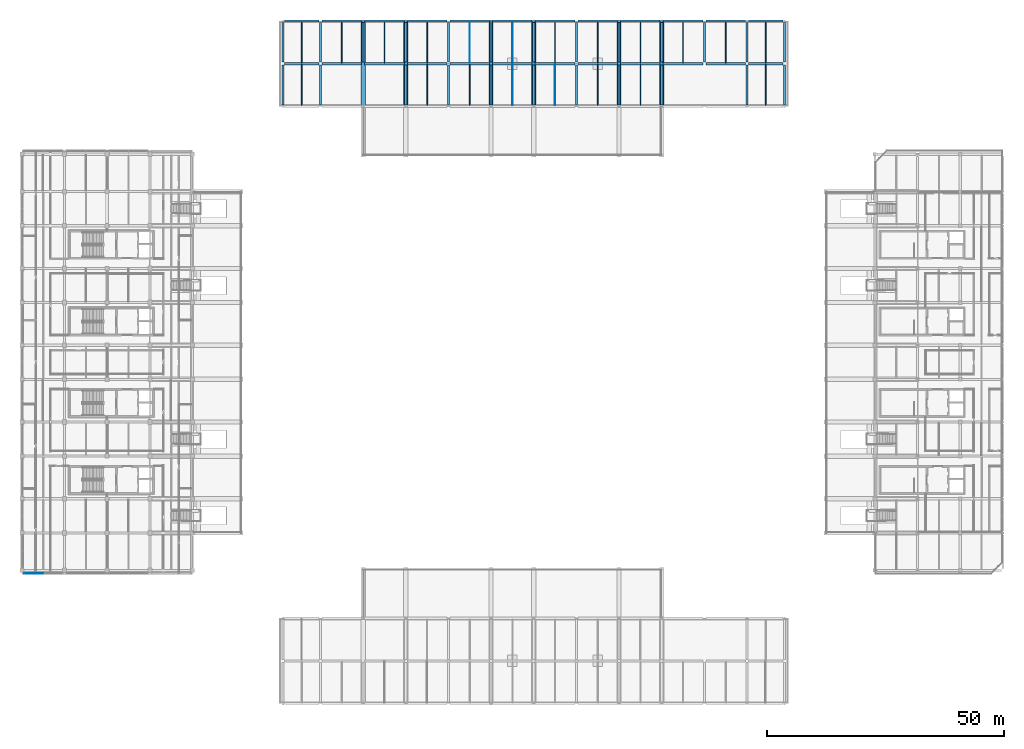
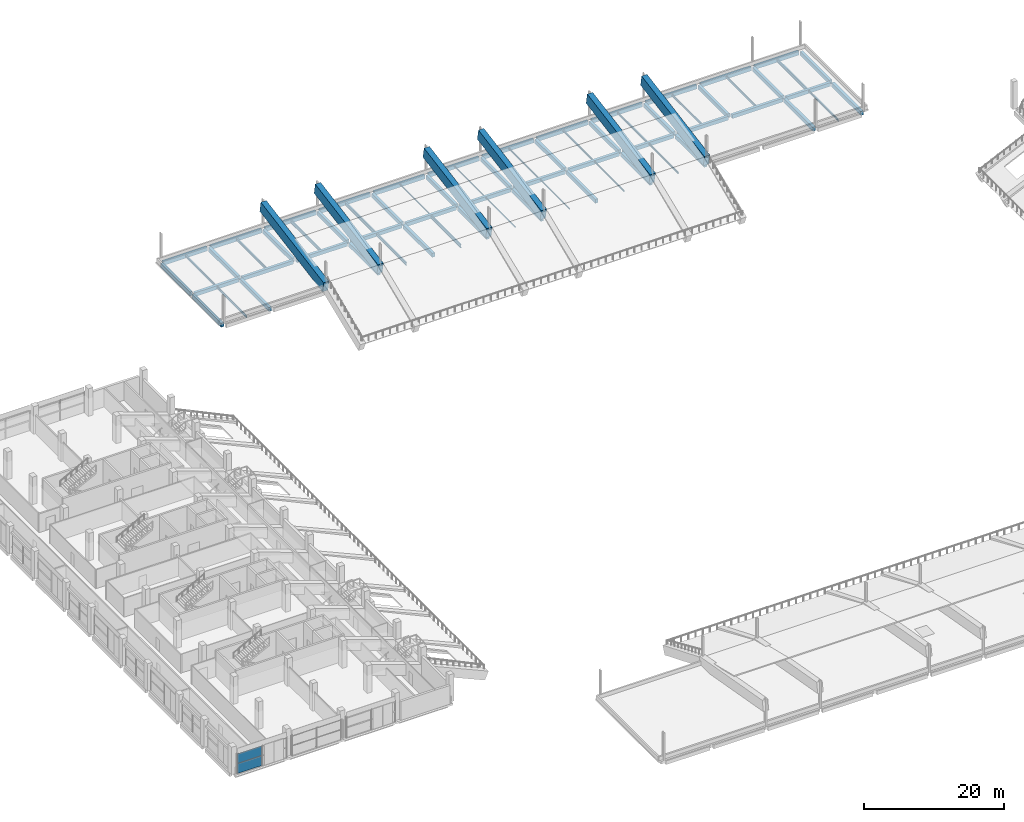
# One storey, part 39 of 66: 74 beams, 2 plates, 1 element without a shape of its own.
"""IFC4 building model written with IfcOpenShell, lengths in metres."""

import ifcopenshell
import ifcopenshell.guid

model = None  # the IFC model being written
_history = None  # IfcOwnerHistory: only IFC2X3 demands one
_inside = {}  # id of a spatial element -> (the spatial element, [elements in it])
_under = {}  # id of a project, library or spatial element -> (it, [spatial elements below it])
_declared = {}  # id of a project -> (the project, [libraries it declares])
_typed = {}  # id of a type object -> (the type object, [elements of that type])
_made_of = {}  # id of a material, layer set ... -> (it, [elements and type objects made of it])


def new_model(schema):
    """Start an empty IFC model of exactly this schema.

    Asked for "IFC4X3", IfcOpenShell would pick the latest addendum, in which some entities
    have other attributes; the version numbers below select the first issue.
    IFC2X3 requires an IfcOwnerHistory on every rooted entity: one is made here for all.
    """
    global model, _history
    if schema == "IFC4X3":
        model = ifcopenshell.file(schema_version=(4, 3, 0, 0))
    else:
        model = ifcopenshell.file(schema=schema)
    _inside.clear()
    _under.clear()
    _declared.clear()
    _typed.clear()
    _made_of.clear()
    _history = None
    if model.schema == "IFC2X3":
        org = make("IfcOrganization", Name="unknown")
        user = make(
            "IfcPersonAndOrganization",
            ThePerson=make("IfcPerson", FamilyName="unknown"),
            TheOrganization=org,
        )
        app = make(
            "IfcApplication",
            ApplicationDeveloper=org,
            Version="unknown",
            ApplicationFullName="unknown",
            ApplicationIdentifier="unknown",
        )
        _history = make(
            "IfcOwnerHistory",
            OwningUser=user,
            OwningApplication=app,
            ChangeAction="ADDED",
            CreationDate=0,
        )
    return model


def make(cls, **values):
    """One entity of the class cls with the attributes given. An attribute that is None is left unset."""
    return model.create_entity(
        cls, **{name: value for name, value in values.items() if value is not None}
    )


def rooted(cls, **values):
    """An entity with a GlobalId (a new one), such as an element, a storey or a relation."""
    return make(cls, GlobalId=ifcopenshell.guid.new(), OwnerHistory=_history, **values)


def si_unit(unit_type, name, prefix=None):
    """IfcSIUnit, for example si_unit("LENGTHUNIT", "METRE", prefix="MILLI")."""
    return make("IfcSIUnit", UnitType=unit_type, Prefix=prefix, Name=name)


def assignment(units):
    """IfcUnitAssignment: the units of a project."""
    return None if units is None else make("IfcUnitAssignment", Units=units)


def point(xyz):
    """IfcCartesianPoint."""
    return None if xyz is None else make("IfcCartesianPoint", Coordinates=xyz)


def direction(xyz):
    """IfcDirection."""
    return None if xyz is None else make("IfcDirection", DirectionRatios=xyz)


def frame(location, z_axis=None, x_axis=None):
    """IfcAxis2Placement3D, a coordinate frame: its origin and axes. An axis left out is left unset."""
    return make(
        "IfcAxis2Placement3D",
        Location=point(location),
        Axis=direction(z_axis),
        RefDirection=direction(x_axis),
    )


def frame_2d(location, x_axis=None):
    """IfcAxis2Placement2D, a coordinate frame in the plane: its origin and x axis."""
    return make(
        "IfcAxis2Placement2D", Location=point(location), RefDirection=direction(x_axis)
    )


def origin():
    """The frame at (0, 0, 0) with its axes left unset."""
    return frame((0.0, 0.0, 0.0))


def origin_2d():
    """The frame at (0, 0) in the plane with its x axis left unset."""
    return frame_2d((0.0, 0.0))


def place(relative_to, where):
    """IfcLocalPlacement: puts the frame where relative to a parent placement (None: the world)."""
    return make(
        "IfcLocalPlacement", PlacementRelTo=relative_to, RelativePlacement=where
    )


def context(
    kind, dimensions, precision=None, world=None, true_north=None, identifier=None
):
    """IfcGeometricRepresentationContext, for example the 3D "Model" context."""
    return make(
        "IfcGeometricRepresentationContext",
        ContextIdentifier=identifier,
        ContextType=kind,
        CoordinateSpaceDimension=dimensions,
        Precision=precision,
        WorldCoordinateSystem=world,
        TrueNorth=true_north,
    )


def subcontext(parent, identifier, kind, view, scale=None):
    """IfcGeometricRepresentationSubContext, for example "Body" below "Model"."""
    return make(
        "IfcGeometricRepresentationSubContext",
        ContextIdentifier=identifier,
        ContextType=kind,
        ParentContext=parent,
        TargetScale=scale,
        TargetView=view,
    )


def project(units=None, contexts=None):
    """IfcProject with its units and contexts."""
    return rooted(
        "IfcProject",
        Name="project",
        RepresentationContexts=contexts,
        UnitsInContext=assignment(units),
    )


def spatial(cls, under=None, at=None, **own):
    """A site, building, storey or space (cls), placed at a placement, below another one or the project."""
    s = rooted(cls, ObjectPlacement=at, **own)
    if under is not None:
        _under.setdefault(under.id(), (under, []))[1].append(s)
    return s


def profile(cls, at=None, kind="AREA", **sizes):
    """A parametric profile (cls). Its sizes go by their IFC names, for example OverallWidth=200.0."""
    return make(cls, ProfileType=kind, Position=at, **sizes)


def rectangle(**sizes):
    """IfcRectangleProfileDef."""
    return profile("IfcRectangleProfileDef", **sizes)


def hollow_rectangle(**sizes):
    """IfcRectangleHollowProfileDef."""
    return profile("IfcRectangleHollowProfileDef", **sizes)


def i_section(**sizes):
    """IfcIShapeProfileDef."""
    return profile("IfcIShapeProfileDef", **sizes)


def extrude(swept, where, along, depth):
    """IfcExtrudedAreaSolid: the profile swept, set in the frame where, extruded along a direction by depth."""
    return make(
        "IfcExtrudedAreaSolid",
        SweptArea=swept,
        Position=where,
        ExtrudedDirection=direction(along),
        Depth=depth,
    )


def shape(context_of_items, identifier, shape_type, items):
    """IfcShapeRepresentation: the items that make up one representation, for example the "Body"."""
    return make(
        "IfcShapeRepresentation",
        ContextOfItems=context_of_items,
        RepresentationIdentifier=identifier,
        RepresentationType=shape_type,
        Items=items,
    )


def material(Name=None, Category=None):
    """IfcMaterial."""
    return make("IfcMaterial", Name=Name, Category=Category)


def layer(
    of_material, thickness, ventilated=None, Name=None, Category=None, Priority=None
):
    """IfcMaterialLayer: one layer of a wall or slab, of a material (None: an air gap)."""
    return make(
        "IfcMaterialLayer",
        Material=of_material,
        LayerThickness=thickness,
        IsVentilated=ventilated,
        Name=Name,
        Category=Category,
        Priority=Priority,
    )


def layer_set(layers, Name=None):
    """IfcMaterialLayerSet."""
    return make("IfcMaterialLayerSet", MaterialLayers=layers, LayerSetName=Name)


def material_profile(
    of_material, cross_section, Name=None, Category=None, Priority=None
):
    """IfcMaterialProfile: a cross section and its material."""
    return make(
        "IfcMaterialProfile",
        Name=Name,
        Material=of_material,
        Profile=cross_section,
        Priority=Priority,
        Category=Category,
    )


def profile_set(profiles, Name=None, composite=None):
    """IfcMaterialProfileSet."""
    return make(
        "IfcMaterialProfileSet",
        Name=Name,
        MaterialProfiles=profiles,
        CompositeProfile=composite,
    )


def made_of(thing, what):
    """Note that an element or type object is made of a material, layer set ...; save() writes the relation."""
    if what is not None:
        _made_of.setdefault(what.id(), (what, []))[1].append(thing)
    return thing


def type_object(cls, material=None, **own):
    """A type object (cls), such as IfcWallType, which elements share."""
    return made_of(rooted(cls, **own), material)


def element(
    cls,
    number,
    at=None,
    inside=None,
    cuts=None,
    type_object=None,
    material=None,
    context=None,
    identifier="Body",
    shape_type=None,
    held_by="IfcProductDefinitionShape",
    body=None,
    shapes=None,
    **own,
):
    """One element of the class cls, such as IfcWall. Its Tag is "e" and its number.

    at: its placement. inside: the storey or other place that contains it. cuts: it is an
    opening in that element (IfcRelVoidsElement). A single representation is given by context,
    identifier, shape_type and body (its items); several are given by shapes. held_by: the class
    of the entity that holds the representations. save() writes the other relations.
    """
    e = rooted(cls, Tag="e%d" % number, ObjectPlacement=at, **own)
    if body is not None:
        shapes = [shape(context, identifier, shape_type, body)]
    if shapes is not None:
        e.Representation = make(held_by, Representations=shapes)
    if inside is not None:
        _inside.setdefault(inside.id(), (inside, []))[1].append(e)
    if cuts is not None:
        rooted(
            "IfcRelVoidsElement", RelatingBuildingElement=cuts, RelatedOpeningElement=e
        )
    if type_object is not None:
        _typed.setdefault(type_object.id(), (type_object, []))[1].append(e)
    return made_of(e, material)


def aggregate(whole, parts):
    """IfcRelAggregates: a whole, such as a stair, and the parts it consists of."""
    return rooted("IfcRelAggregates", RelatingObject=whole, RelatedObjects=parts)


def save(model, path):
    """Write the relations noted so far, then the file.

    IfcRelAggregates (storeys below a building ...), IfcRelContainedInSpatialStructure (elements
    in a storey), IfcRelDefinesByType, IfcRelAssociatesMaterial and IfcRelDeclares: one each for
    every whole, place, type object, material and project.
    """
    for whole, parts in _under.values():
        aggregate(whole, parts)
    for where, things in _inside.values():
        rooted(
            "IfcRelContainedInSpatialStructure",
            RelatedElements=things,
            RelatingStructure=where,
        )
    for kind, things in _typed.values():
        rooted("IfcRelDefinesByType", RelatedObjects=things, RelatingType=kind)
    for what, things in _made_of.values():
        rooted("IfcRelAssociatesMaterial", RelatedObjects=things, RelatingMaterial=what)
    for by, libraries in _declared.values():
        rooted("IfcRelDeclares", RelatingContext=by, RelatedDefinitions=libraries)
    model.write(path)


model = new_model("IFC4")

# Units and contexts
model_context = context("Model", 3, precision=1e-05, world=origin(), true_north=direction((0.0, 1.0)))
body_context = subcontext(model_context, "Body", "Model", "MODEL_VIEW")
ifc_project = project(units=[si_unit("LENGTHUNIT", "METRE"), si_unit("AREAUNIT", "SQUARE_METRE"), si_unit("VOLUMEUNIT", "CUBIC_METRE"), si_unit("PLANEANGLEUNIT", "RADIAN"), si_unit("MASSUNIT", "GRAM", prefix="KILO"), si_unit("THERMODYNAMICTEMPERATUREUNIT", "KELVIN"), si_unit("POWERUNIT", "WATT")], contexts=[model_context])

# Site, building, storey
site_placement = place(None, origin())
site = spatial("IfcSite", under=ifc_project, at=site_placement, CompositionType="ELEMENT")
building_placement = place(site_placement, origin())
building = spatial("IfcBuilding", under=site, at=building_placement, Name="Sindhuravela Promenade Stadium", CompositionType="ELEMENT")
storey_placement = place(building_placement, frame((0.0, 0.0, 19.199951171875)))
storey = spatial("IfcBuildingStorey", under=building, at=storey_placement, Name="L04", CompositionType="ELEMENT", Elevation=19.199951171875)

# Beams
ifc_material_1 = material(Name="Concrete M40", Category="concrete")
ifc_material_profile_1 = material_profile(ifc_material_1, rectangle(XDim=0.449951171875, YDim=0.64990234375, at=origin_2d()), Name="RC 450x650")
ifc_profile_set_1 = profile_set([ifc_material_profile_1], Name="Concrete M40")
beam_type_1 = type_object("IfcBeamType", Name="RC-BM-450x650", PredefinedType="T_BEAM", material=ifc_profile_set_1)
beam_1_placement = place(storey_placement, frame((55.4150390625, 144.0, -0.570068359375), z_axis=(1.0, 0.0, 0.0), x_axis=(0.0, 1.0, 0.0)))
element("IfcBeam", 1, at=beam_1_placement, inside=storey, type_object=beam_type_1, Name="Primary girder GB08 NORTH L04", PredefinedType="T_BEAM", context=body_context, shape_type="SweptSolid", body=[
    extrude(rectangle(XDim=0.449951171875, YDim=0.64990234375, at=origin_2d()), origin(), (0.0, 0.0, 1.0), 7.27001953125),
])
for number, where, z_axis, x_axis, name in (
    (2, (63.31494140625, 144.0, -0.570068359375), (1.0, 0.0, 0.0), (0.0, 1.0, 0.0), "Primary girder GB08 NORTH L04"),
    (3, (72.31494140625, 144.0, -0.570068359375), (1.0, 0.0, 0.0), (0.0, 1.0, 0.0), "Primary girder GB08 NORTH L04"),
    (4, (81.31494140625, 144.0, -0.570068359375), (1.0, 0.0, 0.0), (0.0, 1.0, 0.0), "Primary girder GB08 NORTH L04"),
    (5, (90.31494140625, 144.0, -0.570068359375), (1.0, 0.0, 0.0), (0.0, 1.0, 0.0), "Primary girder GB08 NORTH L04"),
    (6, (99.31494140625, 144.0, -0.570068359375), (1.0, 0.0, 0.0), (0.0, 1.0, 0.0), "Primary girder GB08 NORTH L04"),
    (7, (108.31494140625, 144.0, -0.570068359375), (1.0, 0.0, 0.0), (0.0, 1.0, 0.0), "Primary girder GB08 NORTH L04"),
    (8, (117.31494140625, 144.0, -0.570068359375), (1.0, 0.0, 0.0), (0.0, 1.0, 0.0), "Primary girder GB08 NORTH L04"),
    (9, (126.31494140625, 144.0, -0.570068359375), (1.0, 0.0, 0.0), (0.0, 1.0, 0.0), "Primary girder GB08 NORTH L04"),
    (10, (135.31494140625, 144.0, -0.570068359375), (1.0, 0.0, 0.0), (0.0, 1.0, 0.0), "Primary girder GB08 NORTH L04"),
    (11, (144.31494140625, 144.0, -0.570068359375), (1.0, 0.0, 0.0), (0.0, 1.0, 0.0), "Primary girder GB08 NORTH L04"),
):
    element("IfcBeam", number, at=place(storey_placement, frame(where, z_axis=z_axis, x_axis=x_axis)), inside=storey, type_object=beam_type_1, Name=name, PredefinedType="T_BEAM", context=body_context, shape_type="SweptSolid", body=[
        extrude(rectangle(XDim=0.449951171875, YDim=0.64990234375, at=origin_2d()), origin(), (0.0, 0.0, 1.0), 8.3701171875),
    ])
for number, where, z_axis, x_axis, name in (
    (12, (153.31494140625, 144.0, -0.570068359375), (1.0, 0.0, 0.0), (0.0, 1.0, 0.0), "Primary girder GB08 NORTH L04"),
    (13, (55.4150390625, 153.0, -0.570068359375), (1.0, 0.0, 0.0), (0.0, 1.0, 0.0), "Primary girder GB08 NORTH L04"),
):
    element("IfcBeam", number, at=place(storey_placement, frame(where, z_axis=z_axis, x_axis=x_axis)), inside=storey, type_object=beam_type_1, Name=name, PredefinedType="T_BEAM", context=body_context, shape_type="SweptSolid", body=[
        extrude(rectangle(XDim=0.449951171875, YDim=0.64990234375, at=origin_2d()), origin(), (0.0, 0.0, 1.0), 7.27001953125),
    ])
for number, where, z_axis, x_axis, name in (
    (14, (63.31494140625, 153.0, -0.570068359375), (1.0, 0.0, 0.0), (0.0, 1.0, 0.0), "Primary girder GB08 NORTH L04"),
    (15, (72.31494140625, 153.0, -0.570068359375), (1.0, 0.0, 0.0), (0.0, 1.0, 0.0), "Primary girder GB08 NORTH L04"),
    (16, (81.31494140625, 153.0, -0.570068359375), (1.0, 0.0, 0.0), (0.0, 1.0, 0.0), "Primary girder GB08 NORTH L04"),
    (17, (90.31494140625, 153.0, -0.570068359375), (1.0, 0.0, 0.0), (0.0, 1.0, 0.0), "Primary girder GB08 NORTH L04"),
    (18, (99.31494140625, 153.0, -0.570068359375), (1.0, 0.0, 0.0), (0.0, 1.0, 0.0), "Primary girder GB08 NORTH L04"),
    (19, (108.31494140625, 153.0, -0.570068359375), (1.0, 0.0, 0.0), (0.0, 1.0, 0.0), "Primary girder GB08 NORTH L04"),
    (20, (117.31494140625, 153.0, -0.570068359375), (1.0, 0.0, 0.0), (0.0, 1.0, 0.0), "Primary girder GB08 NORTH L04"),
    (21, (126.31494140625, 153.0, -0.570068359375), (1.0, 0.0, 0.0), (0.0, 1.0, 0.0), "Primary girder GB08 NORTH L04"),
    (22, (135.31494140625, 153.0, -0.570068359375), (1.0, 0.0, 0.0), (0.0, 1.0, 0.0), "Primary girder GB08 NORTH L04"),
    (23, (144.31494140625, 153.0, -0.570068359375), (1.0, 0.0, 0.0), (0.0, 1.0, 0.0), "Primary girder GB08 NORTH L04"),
):
    element("IfcBeam", number, at=place(storey_placement, frame(where, z_axis=z_axis, x_axis=x_axis)), inside=storey, type_object=beam_type_1, Name=name, PredefinedType="T_BEAM", context=body_context, shape_type="SweptSolid", body=[
        extrude(rectangle(XDim=0.449951171875, YDim=0.64990234375, at=origin_2d()), origin(), (0.0, 0.0, 1.0), 8.3701171875),
    ])
beam_2_placement = place(storey_placement, frame((153.31494140625, 153.0, -0.570068359375), z_axis=(1.0, 0.0, 0.0), x_axis=(0.0, 1.0, 0.0)))
element("IfcBeam", 24, at=beam_2_placement, inside=storey, type_object=beam_type_1, Name="Primary girder GB08 NORTH L04", PredefinedType="T_BEAM", context=body_context, shape_type="SweptSolid", body=[
    extrude(rectangle(XDim=0.449951171875, YDim=0.64990234375, at=origin_2d()), origin(), (0.0, 0.0, 1.0), 7.27001953125),
])
ifc_material_profile_2 = material_profile(ifc_material_1, rectangle(XDim=0.449951171875, YDim=0.699951171875, at=origin_2d()), Name="RC 450x700")
ifc_profile_set_2 = profile_set([ifc_material_profile_2], Name="Concrete M40")
beam_type_2 = type_object("IfcBeamType", Name="RC-BM-450x700", PredefinedType="BEAM", material=ifc_profile_set_2)
for number, where, z_axis, x_axis, name in (
    (25, (55.10009765625, 135.31494140625, -0.594970703125), (0.0, 1.0, 0.0), (-1.0, 0.0, 0.0), "Primary beam GB07 NORTH L04"),
    (26, (55.10009765625, 144.31494140625, -0.594970703125), (0.0, 1.0, 0.0), (-1.0, 0.0, 0.0), "Primary beam GB07 NORTH L04"),
    (27, (63.0, 135.31494140625, -0.594970703125), (0.0, 1.0, 0.0), (-1.0, 0.0, 0.0), "Primary beam GB07 NORTH L04"),
    (28, (63.0, 144.31494140625, -0.594970703125), (0.0, 1.0, 0.0), (-1.0, 0.0, 0.0), "Primary beam GB07 NORTH L04"),
    (29, (72.0, 144.31494140625, -0.594970703125), (0.0, 1.0, 0.0), (-1.0, 0.0, 0.0), "Primary beam GB07 NORTH L04"),
    (30, (81.0, 135.31494140625, -0.594970703125), (0.0, 1.0, 0.0), (-1.0, 0.0, 0.0), "Primary beam GB07 NORTH L04"),
    (31, (81.0, 144.31494140625, -0.594970703125), (0.0, 1.0, 0.0), (-1.0, 0.0, 0.0), "Primary beam GB07 NORTH L04"),
    (32, (90.0, 135.31494140625, -0.594970703125), (0.0, 1.0, 0.0), (-1.0, 0.0, 0.0), "Primary beam GB07 NORTH L04"),
    (33, (90.0, 144.31494140625, -0.594970703125), (0.0, 1.0, 0.0), (-1.0, 0.0, 0.0), "Primary beam GB07 NORTH L04"),
    (34, (99.0, 135.31494140625, -0.594970703125), (0.0, 1.0, 0.0), (-1.0, 0.0, 0.0), "Primary beam GB07 NORTH L04"),
    (35, (99.0, 144.31494140625, -0.594970703125), (0.0, 1.0, 0.0), (-1.0, 0.0, 0.0), "Primary beam GB07 NORTH L04"),
    (36, (108.0, 135.31494140625, -0.594970703125), (0.0, 1.0, 0.0), (-1.0, 0.0, 0.0), "Primary beam GB07 NORTH L04"),
    (37, (108.0, 144.31494140625, -0.594970703125), (0.0, 1.0, 0.0), (-1.0, 0.0, 0.0), "Primary beam GB07 NORTH L04"),
    (38, (117.0, 135.31494140625, -0.594970703125), (0.0, 1.0, 0.0), (-1.0, 0.0, 0.0), "Primary beam GB07 NORTH L04"),
    (39, (117.0, 144.31494140625, -0.594970703125), (0.0, 1.0, 0.0), (-1.0, 0.0, 0.0), "Primary beam GB07 NORTH L04"),
    (40, (126.0, 135.31494140625, -0.594970703125), (0.0, 1.0, 0.0), (-1.0, 0.0, 0.0), "Primary beam GB07 NORTH L04"),
    (41, (126.0, 144.31494140625, -0.594970703125), (0.0, 1.0, 0.0), (-1.0, 0.0, 0.0), "Primary beam GB07 NORTH L04"),
    (42, (135.0, 135.31494140625, -0.594970703125), (0.0, 1.0, 0.0), (-1.0, 0.0, 0.0), "Primary beam GB07 NORTH L04"),
    (43, (135.0, 144.31494140625, -0.594970703125), (0.0, 1.0, 0.0), (-1.0, 0.0, 0.0), "Primary beam GB07 NORTH L04"),
    (44, (144.0, 144.31494140625, -0.594970703125), (0.0, 1.0, 0.0), (-1.0, 0.0, 0.0), "Primary beam GB07 NORTH L04"),
    (45, (153.0, 135.31494140625, -0.594970703125), (0.0, 1.0, 0.0), (-1.0, 0.0, 0.0), "Primary beam GB07 NORTH L04"),
    (46, (153.0, 144.31494140625, -0.594970703125), (0.0, 1.0, 0.0), (-1.0, 0.0, 0.0), "Primary beam GB07 NORTH L04"),
    (47, (160.89990234375, 135.31494140625, -0.594970703125), (0.0, 1.0, 0.0), (-1.0, 0.0, 0.0), "Primary beam GB07 NORTH L04"),
    (48, (160.89990234375, 144.31494140625, -0.594970703125), (0.0, 1.0, 0.0), (-1.0, 0.0, 0.0), "Primary beam GB07 NORTH L04"),
):
    element("IfcBeam", number, at=place(storey_placement, frame(where, z_axis=z_axis, x_axis=x_axis)), inside=storey, type_object=beam_type_2, Name=name, PredefinedType="BEAM", context=body_context, shape_type="SweptSolid", body=[
        extrude(rectangle(XDim=0.449951171875, YDim=0.699951171875, at=origin_2d()), origin(), (0.0, 0.0, 1.0), 8.3701171875),
    ])
ifc_material_2 = material(Name="Concrete M50", Category="concrete")
ifc_material_profile_3 = material_profile(ifc_material_2, rectangle(XDim=0.89990234375, YDim=1.800048828125, at=origin_2d()), Name="RC 900x1800")
ifc_profile_set_3 = profile_set([ifc_material_profile_3], Name="Concrete M50")
beam_type_3 = type_object("IfcBeamType", Name="RC-RK-900x1800", PredefinedType="USERDEFINED", material=ifc_profile_set_3)
for number, where, z_axis, x_axis, name in (
    (49, (72.0, 153.0, 3.60009765625), (0.0, -0.9845629680444814, -0.17503074574325925), (1.0, 0.0, 0.0), "Upper raker back-span RK01 North 72"),
    (50, (81.0, 153.0, 3.60009765625), (0.0, -0.9845629680444814, -0.17503074574325925), (1.0, 0.0, 0.0), "Upper raker back-span RK01 North 74"),
    (51, (99.0, 153.0, 3.60009765625), (0.0, -0.9845629680444814, -0.17503074574325925), (1.0, 0.0, 0.0), "Upper raker back-span RK01 North 76"),
    (52, (108.0, 153.0, 3.60009765625), (0.0, -0.9845629680444814, -0.17503074574325925), (1.0, 0.0, 0.0), "Upper raker back-span RK01 North 78"),
    (53, (126.0, 153.0, 3.60009765625), (0.0, -0.9845629680444814, -0.17503074574325925), (1.0, 0.0, 0.0), "Upper raker back-span RK01 North 80"),
    (54, (135.0, 153.0, 3.60009765625), (0.0, -0.9845629680444814, -0.17503074574325925), (1.0, 0.0, 0.0), "Upper raker back-span RK01 North 82"),
):
    element("IfcBeam", number, at=place(storey_placement, frame(where, z_axis=z_axis, x_axis=x_axis)), inside=storey, type_object=beam_type_3, Name=name, ObjectType="RAKER", PredefinedType="USERDEFINED", context=body_context, shape_type="SweptSolid", body=[
        extrude(rectangle(XDim=0.89990234375, YDim=1.800048828125, at=origin_2d()), origin(), (0.0, 0.0, 1.0), 18.2822265625),
    ])
ifc_material_3 = material(Name="Steel E350 (IS 2062 E350BR)", Category="steel")
ifc_material_profile_4 = material_profile(ifc_material_3, hollow_rectangle(XDim=0.10009765625, YDim=0.199951171875, WallThickness=0.008056640625, at=origin_2d()), Name="RHS 200x100x8")
ifc_profile_set_4 = profile_set([ifc_material_profile_4], Name="Steel E350 (IS 2062 E350BR)")
beam_type_4 = type_object("IfcBeamType", Name="ST-BM-LNT200", PredefinedType="LINTEL", material=ifc_profile_set_4)
for number, where, z_axis, x_axis, name in (
    (55, (103.5, 135.215087890625, -0.344970703125), (0.0, 1.0, 0.0), (-1.0, 0.0, 0.0), "Secondary floor joist LN01 NORTH L04"),
    (56, (94.5, 144.215087890625, -0.344970703125), (0.0, 1.0, 0.0), (-1.0, 0.0, 0.0), "Secondary floor joist LN01 NORTH L04"),
):
    element("IfcBeam", number, at=place(storey_placement, frame(where, z_axis=z_axis, x_axis=x_axis)), inside=storey, type_object=beam_type_4, Name=name, PredefinedType="LINTEL", context=body_context, shape_type="SweptSolid", body=[
        extrude(hollow_rectangle(XDim=0.10009765625, YDim=0.199951171875, WallThickness=0.008056640625, at=origin_2d()), origin(), (0.0, 0.0, 1.0), 8.56982421875),
    ])
ifc_material_profile_5 = material_profile(ifc_material_3, i_section(OverallWidth=0.10009765625, OverallDepth=0.199951171875, WebThickness=0.005615234375, FlangeThickness=0.0107421875, FilletRadius=0.010986328125, at=origin_2d()), Name="ISMB 200")
ifc_profile_set_5 = profile_set([ifc_material_profile_5], Name="Steel E350 (IS 2062 E350BR)")
beam_type_5 = type_object("IfcBeamType", Name="ST-BM-MB200", PredefinedType="JOIST", material=ifc_profile_set_5)
for number, where, z_axis, x_axis, name in (
    (57, (112.5, 135.215087890625, -0.344970703125), (0.0, 1.0, 0.0), (-1.0, 0.0, 0.0), "Secondary floor joist SB01 NORTH L04"),
    (58, (103.5, 144.215087890625, -0.344970703125), (0.0, 1.0, 0.0), (-1.0, 0.0, 0.0), "Secondary floor joist SB01 NORTH L04"),
):
    element("IfcBeam", number, at=place(storey_placement, frame(where, z_axis=z_axis, x_axis=x_axis)), inside=storey, type_object=beam_type_5, Name=name, PredefinedType="JOIST", context=body_context, shape_type="SweptSolid", body=[
        extrude(i_section(OverallWidth=0.10009765625, OverallDepth=0.199951171875, WebThickness=0.005615234375, FlangeThickness=0.0107421875, FilletRadius=0.010986328125, at=origin_2d()), origin(), (0.0, 0.0, 1.0), 8.56982421875),
    ])
ifc_material_profile_6 = material_profile(ifc_material_3, i_section(OverallWidth=0.125, OverallDepth=0.25, WebThickness=0.0068359375, FlangeThickness=0.012451171875, FilletRadius=0.012939453125, at=origin_2d()), Name="ISMB 250")
ifc_profile_set_6 = profile_set([ifc_material_profile_6], Name="Steel E350 (IS 2062 E350BR)")
beam_type_6 = type_object("IfcBeamType", Name="ST-BM-MB250", PredefinedType="JOIST", material=ifc_profile_set_6)
for number, where, z_axis, x_axis, name in (
    (59, (121.5, 135.215087890625, -0.369873046875), (0.0, 1.0, 0.0), (-1.0, 0.0, 0.0), "Secondary floor joist SB02 NORTH L04"),
    (60, (112.5, 144.215087890625, -0.369873046875), (0.0, 1.0, 0.0), (-1.0, 0.0, 0.0), "Secondary floor joist SB02 NORTH L04"),
):
    element("IfcBeam", number, at=place(storey_placement, frame(where, z_axis=z_axis, x_axis=x_axis)), inside=storey, type_object=beam_type_6, Name=name, PredefinedType="JOIST", context=body_context, shape_type="SweptSolid", body=[
        extrude(i_section(OverallWidth=0.125, OverallDepth=0.25, WebThickness=0.0068359375, FlangeThickness=0.012451171875, FilletRadius=0.012939453125, at=origin_2d()), origin(), (0.0, 0.0, 1.0), 8.56982421875),
    ])
ifc_material_profile_7 = material_profile(ifc_material_3, i_section(OverallWidth=0.139892578125, OverallDepth=0.300048828125, WebThickness=0.0078125, FlangeThickness=0.01318359375, FilletRadius=0.013916015625, at=origin_2d()), Name="ISMB 300")
ifc_profile_set_7 = profile_set([ifc_material_profile_7], Name="Steel E350 (IS 2062 E350BR)")
beam_type_7 = type_object("IfcBeamType", Name="ST-BM-MB300", PredefinedType="JOIST", material=ifc_profile_set_7)
for number, where, z_axis, x_axis, name in (
    (61, (130.5, 135.215087890625, -0.39501953125), (0.0, 1.0, 0.0), (-1.0, 0.0, 0.0), "Secondary floor joist SB03 NORTH L04"),
    (62, (121.5, 144.215087890625, -0.39501953125), (0.0, 1.0, 0.0), (-1.0, 0.0, 0.0), "Secondary floor joist SB03 NORTH L04"),
):
    element("IfcBeam", number, at=place(storey_placement, frame(where, z_axis=z_axis, x_axis=x_axis)), inside=storey, type_object=beam_type_7, Name=name, PredefinedType="JOIST", context=body_context, shape_type="SweptSolid", body=[
        extrude(i_section(OverallWidth=0.139892578125, OverallDepth=0.300048828125, WebThickness=0.0078125, FlangeThickness=0.01318359375, FilletRadius=0.013916015625, at=origin_2d()), origin(), (0.0, 0.0, 1.0), 8.56982421875),
    ])
ifc_material_profile_8 = material_profile(ifc_material_3, i_section(OverallWidth=0.139892578125, OverallDepth=0.35009765625, WebThickness=0.008056640625, FlangeThickness=0.01416015625, FilletRadius=0.013916015625, at=origin_2d()), Name="ISMB 350")
ifc_profile_set_8 = profile_set([ifc_material_profile_8], Name="Steel E350 (IS 2062 E350BR)")
beam_type_8 = type_object("IfcBeamType", Name="ST-BM-MB350", PredefinedType="JOIST", material=ifc_profile_set_8)
for number, where, z_axis, x_axis, name in (
    (63, (156.949951171875, 135.215087890625, -0.419921875), (0.0, 1.0, 0.0), (-1.0, 0.0, 0.0), "Secondary floor joist SB04 NORTH L04"),
    (64, (130.5, 144.215087890625, -0.419921875), (0.0, 1.0, 0.0), (-1.0, 0.0, 0.0), "Secondary floor joist SB04 NORTH L04"),
):
    element("IfcBeam", number, at=place(storey_placement, frame(where, z_axis=z_axis, x_axis=x_axis)), inside=storey, type_object=beam_type_8, Name=name, PredefinedType="JOIST", context=body_context, shape_type="SweptSolid", body=[
        extrude(i_section(OverallWidth=0.139892578125, OverallDepth=0.35009765625, WebThickness=0.008056640625, FlangeThickness=0.01416015625, FilletRadius=0.013916015625, at=origin_2d()), origin(), (0.0, 0.0, 1.0), 8.56982421875),
    ])
ifc_material_profile_9 = material_profile(ifc_material_3, i_section(OverallWidth=0.139892578125, OverallDepth=0.39990234375, WebThickness=0.0087890625, FlangeThickness=0.01611328125, FilletRadius=0.013916015625, at=origin_2d()), Name="ISMB 400")
ifc_profile_set_9 = profile_set([ifc_material_profile_9], Name="Steel E350 (IS 2062 E350BR)")
beam_type_9 = type_object("IfcBeamType", Name="ST-BM-MB400", PredefinedType="BEAM", material=ifc_profile_set_9)
for number, where, z_axis, x_axis, name in (
    (65, (59.050048828125, 144.215087890625, -0.445068359375), (0.0, 1.0, 0.0), (-1.0, 0.0, 0.0), "Secondary floor joist SB05 NORTH L04"),
    (66, (139.5, 144.215087890625, -0.445068359375), (0.0, 1.0, 0.0), (-1.0, 0.0, 0.0), "Secondary floor joist SB05 NORTH L04"),
):
    element("IfcBeam", number, at=place(storey_placement, frame(where, z_axis=z_axis, x_axis=x_axis)), inside=storey, type_object=beam_type_9, Name=name, PredefinedType="BEAM", context=body_context, shape_type="SweptSolid", body=[
        extrude(i_section(OverallWidth=0.139892578125, OverallDepth=0.39990234375, WebThickness=0.0087890625, FlangeThickness=0.01611328125, FilletRadius=0.013916015625, at=origin_2d()), origin(), (0.0, 0.0, 1.0), 8.56982421875),
    ])
ifc_material_profile_10 = material_profile(ifc_material_3, i_section(OverallWidth=0.14990234375, OverallDepth=0.449951171875, WebThickness=0.009521484375, FlangeThickness=0.017333984375, FilletRadius=0.014892578125, at=origin_2d()), Name="ISMB 450")
ifc_profile_set_10 = profile_set([ifc_material_profile_10], Name="Steel E350 (IS 2062 E350BR)")
beam_type_10 = type_object("IfcBeamType", Name="ST-BM-MB450", PredefinedType="BEAM", material=ifc_profile_set_10)
for number, where, z_axis, x_axis, name in (
    (67, (59.050048828125, 135.215087890625, -0.469970703125), (0.0, 1.0, 0.0), (-1.0, 0.0, 0.0), "Secondary floor joist SB06 NORTH L04"),
    (68, (67.5, 144.215087890625, -0.469970703125), (0.0, 1.0, 0.0), (-1.0, 0.0, 0.0), "Secondary floor joist SB06 NORTH L04"),
    (69, (148.5, 144.215087890625, -0.469970703125), (0.0, 1.0, 0.0), (-1.0, 0.0, 0.0), "Secondary floor joist SB06 NORTH L04"),
):
    element("IfcBeam", number, at=place(storey_placement, frame(where, z_axis=z_axis, x_axis=x_axis)), inside=storey, type_object=beam_type_10, Name=name, PredefinedType="BEAM", context=body_context, shape_type="SweptSolid", body=[
        extrude(i_section(OverallWidth=0.14990234375, OverallDepth=0.449951171875, WebThickness=0.009521484375, FlangeThickness=0.017333984375, FilletRadius=0.014892578125, at=origin_2d()), origin(), (0.0, 0.0, 1.0), 8.56982421875),
    ])
ifc_material_profile_11 = material_profile(ifc_material_3, i_section(OverallWidth=0.18994140625, OverallDepth=0.550048828125, WebThickness=0.01123046875, FlangeThickness=0.019287109375, FilletRadius=0.01806640625, at=origin_2d()), Name="ISMB 550")
ifc_profile_set_11 = profile_set([ifc_material_profile_11], Name="Steel E350 (IS 2062 E350BR)")
beam_type_11 = type_object("IfcBeamType", Name="ST-BM-MB550", PredefinedType="SPANDREL", material=ifc_profile_set_11)
for number, where, z_axis, x_axis, name in (
    (70, (85.5, 135.215087890625, -0.52001953125), (0.0, 1.0, 0.0), (-1.0, 0.0, 0.0), "Secondary floor joist SB08 NORTH L04"),
    (71, (76.5, 144.215087890625, -0.52001953125), (0.0, 1.0, 0.0), (-1.0, 0.0, 0.0), "Secondary floor joist SB08 NORTH L04"),
    (72, (156.949951171875, 144.215087890625, -0.52001953125), (0.0, 1.0, 0.0), (-1.0, 0.0, 0.0), "Secondary floor joist SB08 NORTH L04"),
):
    element("IfcBeam", number, at=place(storey_placement, frame(where, z_axis=z_axis, x_axis=x_axis)), inside=storey, type_object=beam_type_11, Name=name, PredefinedType="SPANDREL", context=body_context, shape_type="SweptSolid", body=[
        extrude(i_section(OverallWidth=0.18994140625, OverallDepth=0.550048828125, WebThickness=0.01123046875, FlangeThickness=0.019287109375, FilletRadius=0.01806640625, at=origin_2d()), origin(), (0.0, 0.0, 1.0), 8.56982421875),
    ])
ifc_material_profile_12 = material_profile(ifc_material_3, i_section(OverallWidth=0.2099609375, OverallDepth=0.60009765625, WebThickness=0.011962890625, FlangeThickness=0.020751953125, FilletRadius=0.02001953125, at=origin_2d()), Name="ISMB 600")
ifc_profile_set_12 = profile_set([ifc_material_profile_12], Name="Steel E350 (IS 2062 E350BR)")
beam_type_12 = type_object("IfcBeamType", Name="ST-BM-MB600", PredefinedType="BEAM", material=ifc_profile_set_12)
for number, where, z_axis, x_axis, name in (
    (73, (94.5, 135.215087890625, -0.544921875), (0.0, 1.0, 0.0), (-1.0, 0.0, 0.0), "Secondary floor joist SB09 NORTH L04"),
    (74, (85.5, 144.215087890625, -0.544921875), (0.0, 1.0, 0.0), (-1.0, 0.0, 0.0), "Secondary floor joist SB09 NORTH L04"),
):
    element("IfcBeam", number, at=place(storey_placement, frame(where, z_axis=z_axis, x_axis=x_axis)), inside=storey, type_object=beam_type_12, Name=name, PredefinedType="BEAM", context=body_context, shape_type="SweptSolid", body=[
        extrude(i_section(OverallWidth=0.2099609375, OverallDepth=0.60009765625, WebThickness=0.011962890625, FlangeThickness=0.020751953125, FilletRadius=0.02001953125, at=origin_2d()), origin(), (0.0, 0.0, 1.0), 8.56982421875),
    ])

# Curtain wall, plates
ifc_material_4 = material(Name="Anodised architectural aluminium 6063-T6", Category="aluminium")
curtain_wall_type = type_object("IfcCurtainWallType", Name="CW-MOD-1", PredefinedType="NOTDEFINED", material=ifc_material_4)
curtain_wall_placement = place(storey_placement, origin())
curtain_wall = element("IfcCurtainWall", 75, at=curtain_wall_placement, inside=storey, type_object=curtain_wall_type, Name="Bronze curtain wall CW-WEST-L04-064", PredefinedType="NOTDEFINED")
ifc_material_5 = material(Name="Tempered laminated low-E glass", Category="glass")
ifc_layer = layer(ifc_material_5, 0.028076171875)
ifc_layer_set = layer_set([ifc_layer], Name="Tempered laminated low-E glass")
plate_type = type_object("IfcPlateType", Name="CW-PNL-01", PredefinedType="CURTAIN_PANEL", material=ifc_layer_set)
plate_1_placement = place(storey_placement, frame((2.47509765625, 36.449951171875, 0.01513671875), z_axis=(0.0, 0.0, 1.0), x_axis=(-1.0, 0.0, 0.0)))
plate_1 = element("IfcPlate", 76, at=plate_1_placement, type_object=plate_type, Name="Glazed curtain panel CW-WEST-L04-064-P2.1", PredefinedType="CURTAIN_PANEL", context=body_context, shape_type="SweptSolid", body=[
    extrude(rectangle(XDim=3.989990234375, YDim=0.028076171875, at=origin_2d()), origin(), (0.0, 0.0, 1.0), 1.760009765625),
])
plate_2_placement = place(storey_placement, frame((2.47509765625, 36.449951171875, 1.80517578125), z_axis=(0.0, 0.0, 1.0), x_axis=(-1.0, 0.0, 0.0)))
plate_2 = element("IfcPlate", 77, at=plate_2_placement, type_object=plate_type, Name="Glazed curtain panel CW-WEST-L04-064-P2.2", PredefinedType="CURTAIN_PANEL", context=body_context, shape_type="SweptSolid", body=[
    extrude(rectangle(XDim=3.989990234375, YDim=0.028076171875, at=origin_2d()), origin(), (0.0, 0.0, 1.0), 1.679931640625),
])
aggregate(curtain_wall, [plate_1, plate_2])

save(model, "model.ifc")
